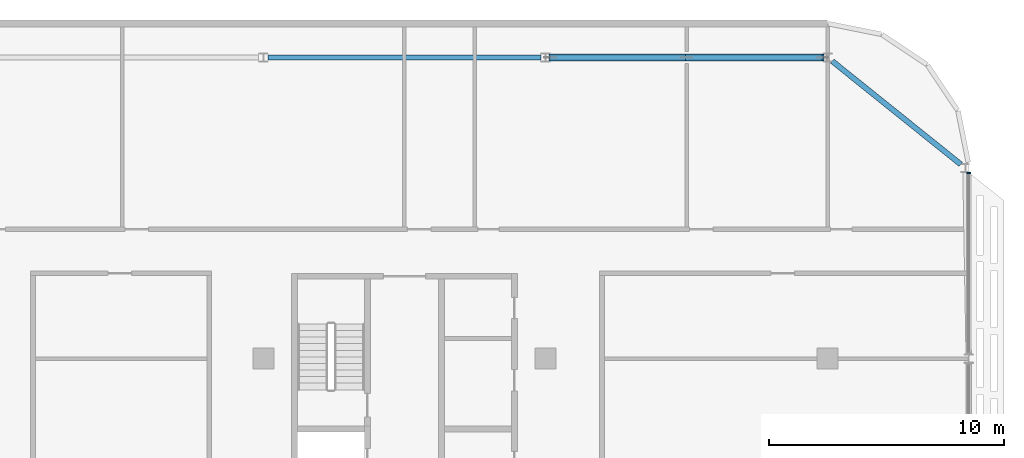
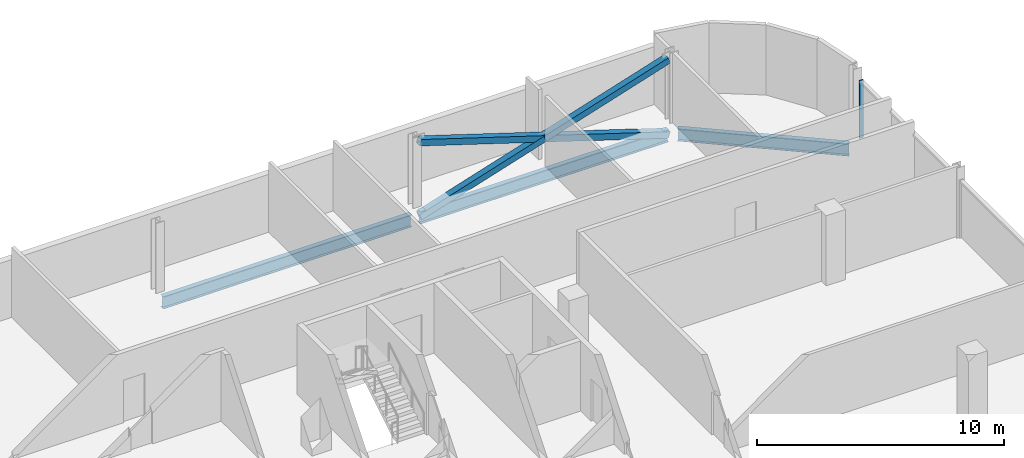
# One storey, part 11 of 28: 4 members, 3 beams, 1 element without a shape of its own.
"""IFC4 building model written with IfcOpenShell, lengths in metres."""

from ifc_helpers import new_model, si_unit, direction, frame, origin, origin_2d, place, context, subcontext, project, spatial, rectangle, hollow_rectangle, i_section, extrude, material, material_profile, profile_set, type_object, element, aggregate, save


model = new_model("IFC4")

# Units and contexts
model_context = context("Model", 3, precision=1e-05, world=origin(), true_north=direction((0.0, 1.0)))
body_context = subcontext(model_context, "Body", "Model", "MODEL_VIEW")
ifc_project = project(units=[si_unit("LENGTHUNIT", "METRE"), si_unit("AREAUNIT", "SQUARE_METRE"), si_unit("VOLUMEUNIT", "CUBIC_METRE"), si_unit("PLANEANGLEUNIT", "RADIAN"), si_unit("MASSUNIT", "GRAM", prefix="KILO")], contexts=[model_context])

# Site, building, storey
site_placement = place(None, origin())
site = spatial("IfcSite", under=ifc_project, at=site_placement, CompositionType="ELEMENT")
building_placement = place(site_placement, origin())
building = spatial("IfcBuilding", under=site, at=building_placement, Name="Mahtab Terrace Research Tower", CompositionType="ELEMENT")
storey_placement = place(building_placement, frame((0.0, 0.0, 267.10009765625)))
storey = spatial("IfcBuildingStorey", under=building, at=storey_placement, Name="L65", CompositionType="ELEMENT", Elevation=267.10009765625)

# Members
ifc_material_1 = material(Name="Steel ASTM A500 Gr C", Category="steel")
ifc_material_profile_1 = material_profile(ifc_material_1, hollow_rectangle(XDim=0.3046875, YDim=0.3046875, WallThickness=0.015869140625, at=origin_2d()), Name="HSS12X12X5/8")
ifc_profile_set_1 = profile_set([ifc_material_profile_1], Name="Steel ASTM A500 Gr C")
member_type_1 = type_object("IfcMemberType", Name="HSS 12x12x5/8 brace XB121258", PredefinedType="BRACE", material=ifc_profile_set_1)
member_1_placement = place(storey_placement, frame((41.80322265625, 24.306884765625, -0.581298828125), z_axis=(-0.953344149173, 0.0, 0.301885629399), x_axis=(0.0, -1.0, 0.0)))
element("IfcMember", 1, at=member_1_placement, inside=storey, type_object=member_type_1, Name="Exoskeleton brace L65 02 a", PredefinedType="BRACE", context=body_context, shape_type="SweptSolid", body=[
    extrude(hollow_rectangle(XDim=0.3046875, YDim=0.3046875, WallThickness=0.015869140625, at=origin_2d()), origin(), (0.0, 0.0, 1.0), 12.174560546875),
])
for number, where, z_axis, x_axis, name in (
    (2, (30.19677734375, 24.306884765625, -0.581298828125), (0.953344149173, 0.0, 0.301885629399), (0.0, 1.0, 0.0), "Exoskeleton brace L65 02 b1"),
    (3, (36.0, 24.306884765625, 1.25634765625), (0.953344149173, 0.0, 0.301885629399), (0.0, 1.0, 0.0), "Exoskeleton brace L65 02 b2"),
):
    element("IfcMember", number, at=place(storey_placement, frame(where, z_axis=z_axis, x_axis=x_axis)), inside=storey, type_object=member_type_1, Name=name, PredefinedType="BRACE", context=body_context, shape_type="SweptSolid", body=[
        extrude(hollow_rectangle(XDim=0.3046875, YDim=0.3046875, WallThickness=0.015869140625, at=origin_2d()), origin(), (0.0, 0.0, 1.0), 6.087158203125),
    ])

# Curtain wall, member
ifc_material_2 = material(Name="Office ribbon curtain wall")
curtain_wall_type = type_object("IfcCurtainWallType", Name="Office ribbon curtain wall", PredefinedType="NOTDEFINED", material=ifc_material_2)
curtain_wall_placement = place(storey_placement, origin())
curtain_wall = element("IfcCurtainWall", 4, at=curtain_wall_placement, inside=storey, type_object=curtain_wall_type, Name="EN.L65.18.22", PredefinedType="NOTDEFINED")
ifc_material_3 = material(Name="Natural anodised aluminium", Category="aluminium")
ifc_material_profile_2 = material_profile(ifc_material_3, rectangle(XDim=0.179931640625, YDim=0.06005859375, at=origin_2d()), Name="MULLION 60x180")
ifc_profile_set_2 = profile_set([ifc_material_profile_2], Name="Natural anodised aluminium")
member_type_2 = type_object("IfcMemberType", Name="Office ribbon curtain wall mullion", PredefinedType="MULLION", material=ifc_profile_set_2)
member_2_placement = place(storey_placement, frame((48.0, 19.386962890625, 0.0), z_axis=(0.0, 0.0, 1.0), x_axis=(-1.0, 0.0, 0.0)))
member_2 = element("IfcMember", 5, at=member_2_placement, type_object=member_type_2, Name="CWO-8 mullion 2", PredefinedType="MULLION", context=body_context, shape_type="SweptSolid", body=[
    extrude(rectangle(XDim=0.179931640625, YDim=0.06005859375, at=origin_2d()), origin(), (0.0, 0.0, 1.0), 2.852783203125),
])
aggregate(curtain_wall, [member_2])

# Beams
ifc_material_4 = material(Name="Steel ASTM A992 Gr 50", Category="steel")
ifc_material_profile_3 = material_profile(ifc_material_4, i_section(OverallWidth=0.228271484375, OverallDepth=0.607177734375, WebThickness=0.01123046875, FlangeThickness=0.017333984375, at=origin_2d()), Name="W24X76")
ifc_profile_set_3 = profile_set([ifc_material_profile_3], Name="Steel ASTM A992 Gr 50")
beam_type = type_object("IfcBeamType", Name="W24x76 beam BS2476", PredefinedType="BEAM", material=ifc_profile_set_3)
beam_placement = place(storey_placement, frame((47.66015625, 19.762939453125, -0.6435546875), z_axis=(-0.77980357172, 0.626024272319, 0.0), x_axis=(-0.626024272319, -0.77980357172, 0.0)))
element("IfcBeam", 6, at=beam_placement, inside=storey, type_object=beam_type, Name="Spandrel beam L65 01", PredefinedType="BEAM", context=body_context, shape_type="SweptSolid", body=[
    extrude(i_section(OverallWidth=0.228271484375, OverallDepth=0.607177734375, WebThickness=0.01123046875, FlangeThickness=0.017333984375, at=origin_2d()), origin(), (0.0, 0.0, 1.0), 7.006103515625),
])
for number, where, z_axis, x_axis, name in (
    (7, (41.80322265625, 24.306884765625, -0.6435546875), (-1.0, 0.0, 0.0), (0.0, -1.0, 0.0), "Spandrel beam L65 02"),
    (8, (29.80322265625, 24.306884765625, -0.6435546875), (-1.0, 0.0, 0.0), (0.0, -1.0, 0.0), "Spandrel beam L65 03"),
):
    element("IfcBeam", number, at=place(storey_placement, frame(where, z_axis=z_axis, x_axis=x_axis)), inside=storey, type_object=beam_type, Name=name, PredefinedType="BEAM", context=body_context, shape_type="SweptSolid", body=[
        extrude(i_section(OverallWidth=0.228271484375, OverallDepth=0.607177734375, WebThickness=0.01123046875, FlangeThickness=0.017333984375, at=origin_2d()), origin(), (0.0, 0.0, 1.0), 11.6064453125),
    ])

save(model, "model.ifc")
